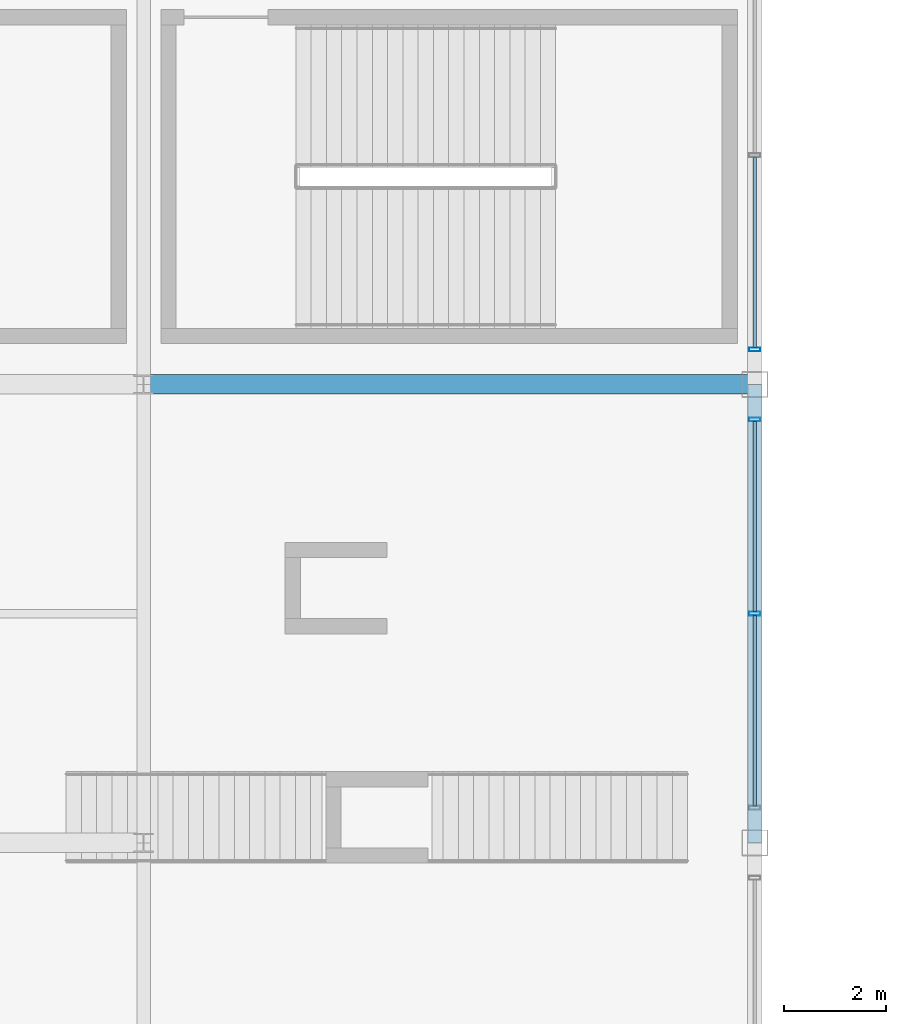
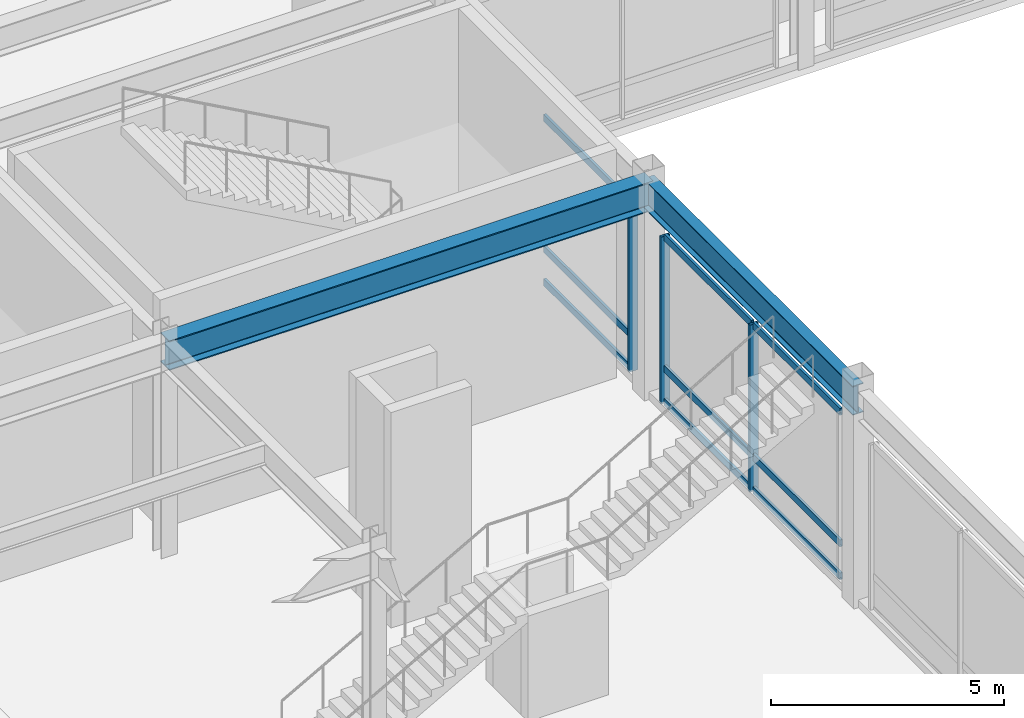
# One storey, part 66 of 108: 12 members, 2 beams, 2 elements without a shape of their own.
"""IFC4 building model written with IfcOpenShell, lengths in metres."""

from ifc_helpers import new_model, si_unit, direction, frame, origin, origin_2d, place, context, subcontext, project, spatial, hollow_rectangle, i_section, extrude, material, material_profile, profile_set, type_object, element, aggregate, save


model = new_model("IFC4")

# Units and contexts
model_context = context("Model", 3, precision=1e-05, world=origin(), true_north=direction((0.0, 1.0)))
body_context = subcontext(model_context, "Body", "Model", "MODEL_VIEW")
ifc_project = project(units=[si_unit("LENGTHUNIT", "METRE"), si_unit("AREAUNIT", "SQUARE_METRE"), si_unit("VOLUMEUNIT", "CUBIC_METRE"), si_unit("PLANEANGLEUNIT", "RADIAN"), si_unit("MASSUNIT", "GRAM", prefix="KILO")], contexts=[model_context])

# Site, building, storey
site_placement = place(None, origin())
site = spatial("IfcSite", under=ifc_project, at=site_placement, CompositionType="ELEMENT")
building_placement = place(site_placement, origin())
building = spatial("IfcBuilding", under=site, at=building_placement, Name="Kaldorvane Square Convention Centre", CompositionType="ELEMENT")
storey_placement = place(building_placement, frame((0.0, 0.0, 12.0)))
storey = spatial("IfcBuildingStorey", under=building, at=storey_placement, Name="L02", CompositionType="ELEMENT", Elevation=12.0)

# Beams
ifc_material_1 = material(Name="Steel ASTM A992 Gr. 50", Category="steel")
ifc_material_profile_1 = material_profile(ifc_material_1, i_section(OverallWidth=0.2666015625, OverallDepth=0.762298583984375, WebThickness=0.014404296875, FlangeThickness=0.0216064453125, FilletRadius=0.0164947509765625, at=origin_2d()), Name="W30X116")
ifc_profile_set_1 = profile_set([ifc_material_profile_1], Name="Steel ASTM A992 Gr. 50")
beam_type_1 = type_object("IfcBeamType", Name="BM-GR-W30X116", PredefinedType="BEAM", material=ifc_profile_set_1)
beam_1_placement = place(storey_placement, frame((138.0, 63.0, 5.264801025390625), z_axis=(0.0, 1.0, 0.0), x_axis=(-1.0, 0.0, 0.0)))
element("IfcBeam", 1, at=beam_1_placement, inside=storey, type_object=beam_type_1, Name="Transverse Girder (L02)", PredefinedType="BEAM", context=body_context, shape_type="SweptSolid", body=[
    extrude(i_section(OverallWidth=0.2666015625, OverallDepth=0.762298583984375, WebThickness=0.014404296875, FlangeThickness=0.0216064453125, FilletRadius=0.0164947509765625, at=origin_2d()), origin(), (0.0, 0.0, 1.0), 9.0),
])
ifc_material_profile_2 = material_profile(ifc_material_1, i_section(OverallWidth=0.380706787109375, OverallDepth=0.773193359375, WebThickness=0.0166015625, FlangeThickness=0.027099609375, FilletRadius=0.0164947509765625, at=origin_2d()), Name="W30X173")
ifc_profile_set_2 = profile_set([ifc_material_profile_2], Name="Steel ASTM A992 Gr. 50")
beam_type_2 = type_object("IfcBeamType", Name="BM-GR-W30X173", PredefinedType="BEAM", material=ifc_profile_set_2)
beam_2_placement = place(storey_placement, frame((126.0, 72.0, 5.2593994140625), z_axis=(1.0, 0.0, 0.0), x_axis=(0.0, 1.0, 0.0)))
element("IfcBeam", 2, at=beam_2_placement, inside=storey, type_object=beam_type_2, Name="Primary Girder (L02)", PredefinedType="BEAM", context=body_context, shape_type="SweptSolid", body=[
    extrude(i_section(OverallWidth=0.380706787109375, OverallDepth=0.773193359375, WebThickness=0.0166015625, FlangeThickness=0.027099609375, FilletRadius=0.0164947509765625, at=origin_2d()), origin(), (0.0, 0.0, 1.0), 12.0),
])

# Curtain wall, members
ifc_material_2 = material(Name="Anodized Aluminum and Low-E Insulated Glazing", Category="aluminium")
curtain_wall_type = type_object("IfcCurtainWallType", Name="CW-PTS-FC-60", PredefinedType="USERDEFINED", material=ifc_material_2)
curtain_wall_1_placement = place(storey_placement, origin())
curtain_wall_1 = element("IfcCurtainWall", 3, at=curtain_wall_1_placement, inside=storey, type_object=curtain_wall_type, Name="Curtain Wall CW-07 (L02)", ObjectType="POINT SUPPORTED GLAZING", PredefinedType="USERDEFINED")
ifc_material_profile_3 = material_profile(ifc_material_2, hollow_rectangle(XDim=0.0749969482421875, YDim=0.220001220703125, WallThickness=0.003997802734375, at=origin_2d()), Name="CWM-220X75")
ifc_profile_set_3 = profile_set([ifc_material_profile_3], Name="Anodized Aluminum and Low-E Insulated Glazing")
member_type_1 = type_object("IfcMemberType", Name="CW-MUL-220", PredefinedType="MULLION", material=ifc_profile_set_3)
member_1_placement = place(storey_placement, frame((138.0, 67.5, 0.149993896484375), z_axis=(0.0, 0.0, 1.0), x_axis=(0.0, 1.0, 0.0)))
member_1 = element("IfcMember", 4, at=member_1_placement, type_object=member_type_1, Name="CW-07 mullion 2", PredefinedType="MULLION", context=body_context, shape_type="SweptSolid", body=[
    extrude(hollow_rectangle(XDim=0.0749969482421875, YDim=0.220001220703125, WallThickness=0.003997802734375, at=origin_2d()), origin(), (0.0, 0.0, 1.0), 4.3800048828125),
])
member_2_placement = place(storey_placement, frame((138.0, 71.3125, 0.149993896484375), z_axis=(0.0, 0.0, 1.0), x_axis=(0.0, 1.0, 0.0)))
member_2 = element("IfcMember", 5, at=member_2_placement, type_object=member_type_1, Name="CW-07 mullion 3", PredefinedType="MULLION", context=body_context, shape_type="SweptSolid", body=[
    extrude(hollow_rectangle(XDim=0.0749969482421875, YDim=0.220001220703125, WallThickness=0.003997802734375, at=origin_2d()), origin(), (0.0, 0.0, 1.0), 4.3800048828125),
])

# Curtain wall, member
curtain_wall_2_placement = place(storey_placement, origin())
curtain_wall_2 = element("IfcCurtainWall", 6, at=curtain_wall_2_placement, inside=storey, type_object=curtain_wall_type, Name="Curtain Wall CW-07 (L02)", ObjectType="POINT SUPPORTED GLAZING", PredefinedType="USERDEFINED")
member_3_placement = place(storey_placement, frame((138.0, 72.6875, 0.149993896484375), z_axis=(0.0, 0.0, 1.0), x_axis=(0.0, 1.0, 0.0)))
member_3 = element("IfcMember", 7, at=member_3_placement, type_object=member_type_1, Name="CW-07 mullion 1", PredefinedType="MULLION", context=body_context, shape_type="SweptSolid", body=[
    extrude(hollow_rectangle(XDim=0.0749969482421875, YDim=0.220001220703125, WallThickness=0.003997802734375, at=origin_2d()), origin(), (0.0, 0.0, 1.0), 4.3800048828125),
])

# Member
ifc_material_profile_4 = material_profile(ifc_material_2, hollow_rectangle(XDim=0.06500244140625, YDim=0.17999267578125, WallThickness=0.0034942626953125, at=origin_2d()), Name="CWT-180X65")
ifc_profile_set_4 = profile_set([ifc_material_profile_4], Name="Anodized Aluminum and Low-E Insulated Glazing")
member_type_2 = type_object("IfcMemberType", Name="CW-TRN-180", PredefinedType="USERDEFINED", material=ifc_profile_set_4)
member_4_placement = place(storey_placement, frame((138.0, 63.725006103515625, 0.1824951171875), z_axis=(0.0, 1.0, 0.0), x_axis=(-1.0, 0.0, 0.0)))
member_4 = element("IfcMember", 8, at=member_4_placement, type_object=member_type_2, Name="CW-07 transom 1.1", ObjectType="TRANSOM", PredefinedType="USERDEFINED", context=body_context, shape_type="SweptSolid", body=[
    extrude(hollow_rectangle(XDim=0.06500244140625, YDim=0.17999267578125, WallThickness=0.0034942626953125, at=origin_2d()), origin(), (0.0, 0.0, 1.0), 3.73748779296875),
])

member_5_placement = place(storey_placement, frame((138.0, 63.725006103515625, 1.0500030517578125), z_axis=(0.0, 1.0, 0.0), x_axis=(-1.0, 0.0, 0.0)))
member_5 = element("IfcMember", 9, at=member_5_placement, type_object=member_type_2, Name="CW-07 transom 1.2", ObjectType="TRANSOM", PredefinedType="USERDEFINED", context=body_context, shape_type="SweptSolid", body=[
    extrude(hollow_rectangle(XDim=0.06500244140625, YDim=0.17999267578125, WallThickness=0.0034942626953125, at=origin_2d()), origin(), (0.0, 0.0, 1.0), 3.73748779296875),
])

member_6_placement = place(storey_placement, frame((138.0, 63.725006103515625, 4.49749755859375), z_axis=(0.0, 1.0, 0.0), x_axis=(-1.0, 0.0, 0.0)))
member_6 = element("IfcMember", 10, at=member_6_placement, type_object=member_type_2, Name="CW-07 transom 1.3", ObjectType="TRANSOM", PredefinedType="USERDEFINED", context=body_context, shape_type="SweptSolid", body=[
    extrude(hollow_rectangle(XDim=0.06500244140625, YDim=0.17999267578125, WallThickness=0.0034942626953125, at=origin_2d()), origin(), (0.0, 0.0, 1.0), 3.73748779296875),
])

member_7_placement = place(storey_placement, frame((138.0, 67.53750610351562, 0.1824951171875), z_axis=(0.0, 1.0, 0.0), x_axis=(-1.0, 0.0, 0.0)))
member_7 = element("IfcMember", 11, at=member_7_placement, type_object=member_type_2, Name="CW-07 transom 2.1", ObjectType="TRANSOM", PredefinedType="USERDEFINED", context=body_context, shape_type="SweptSolid", body=[
    extrude(hollow_rectangle(XDim=0.06500244140625, YDim=0.17999267578125, WallThickness=0.0034942626953125, at=origin_2d()), origin(), (0.0, 0.0, 1.0), 3.73748779296875),
])

member_8_placement = place(storey_placement, frame((138.0, 67.53750610351562, 1.0500030517578125), z_axis=(0.0, 1.0, 0.0), x_axis=(-1.0, 0.0, 0.0)))
member_8 = element("IfcMember", 12, at=member_8_placement, type_object=member_type_2, Name="CW-07 transom 2.2", ObjectType="TRANSOM", PredefinedType="USERDEFINED", context=body_context, shape_type="SweptSolid", body=[
    extrude(hollow_rectangle(XDim=0.06500244140625, YDim=0.17999267578125, WallThickness=0.0034942626953125, at=origin_2d()), origin(), (0.0, 0.0, 1.0), 3.73748779296875),
])

member_9_placement = place(storey_placement, frame((138.0, 67.53750610351562, 4.49749755859375), z_axis=(0.0, 1.0, 0.0), x_axis=(-1.0, 0.0, 0.0)))
member_9 = element("IfcMember", 13, at=member_9_placement, type_object=member_type_2, Name="CW-07 transom 2.3", ObjectType="TRANSOM", PredefinedType="USERDEFINED", context=body_context, shape_type="SweptSolid", body=[
    extrude(hollow_rectangle(XDim=0.06500244140625, YDim=0.17999267578125, WallThickness=0.0034942626953125, at=origin_2d()), origin(), (0.0, 0.0, 1.0), 3.73748779296875),
])

aggregate(curtain_wall_1, [member_1, member_2, member_4, member_5, member_6, member_7, member_8, member_9])

member_10_placement = place(storey_placement, frame((138.0, 72.72500610351562, 0.1824951171875), z_axis=(0.0, 1.0, 0.0), x_axis=(-1.0, 0.0, 0.0)))
member_10 = element("IfcMember", 14, at=member_10_placement, type_object=member_type_2, Name="CW-07 transom 1.1", ObjectType="TRANSOM", PredefinedType="USERDEFINED", context=body_context, shape_type="SweptSolid", body=[
    extrude(hollow_rectangle(XDim=0.06500244140625, YDim=0.17999267578125, WallThickness=0.0034942626953125, at=origin_2d()), origin(), (0.0, 0.0, 1.0), 3.73748779296875),
])

member_11_placement = place(storey_placement, frame((138.0, 72.72500610351562, 1.0500030517578125), z_axis=(0.0, 1.0, 0.0), x_axis=(-1.0, 0.0, 0.0)))
member_11 = element("IfcMember", 15, at=member_11_placement, type_object=member_type_2, Name="CW-07 transom 1.2", ObjectType="TRANSOM", PredefinedType="USERDEFINED", context=body_context, shape_type="SweptSolid", body=[
    extrude(hollow_rectangle(XDim=0.06500244140625, YDim=0.17999267578125, WallThickness=0.0034942626953125, at=origin_2d()), origin(), (0.0, 0.0, 1.0), 3.73748779296875),
])

member_12_placement = place(storey_placement, frame((138.0, 72.72500610351562, 4.49749755859375), z_axis=(0.0, 1.0, 0.0), x_axis=(-1.0, 0.0, 0.0)))
member_12 = element("IfcMember", 16, at=member_12_placement, type_object=member_type_2, Name="CW-07 transom 1.3", ObjectType="TRANSOM", PredefinedType="USERDEFINED", context=body_context, shape_type="SweptSolid", body=[
    extrude(hollow_rectangle(XDim=0.06500244140625, YDim=0.17999267578125, WallThickness=0.0034942626953125, at=origin_2d()), origin(), (0.0, 0.0, 1.0), 3.73748779296875),
])

aggregate(curtain_wall_2, [member_3, member_10, member_11, member_12])

save(model, "model.ifc")
